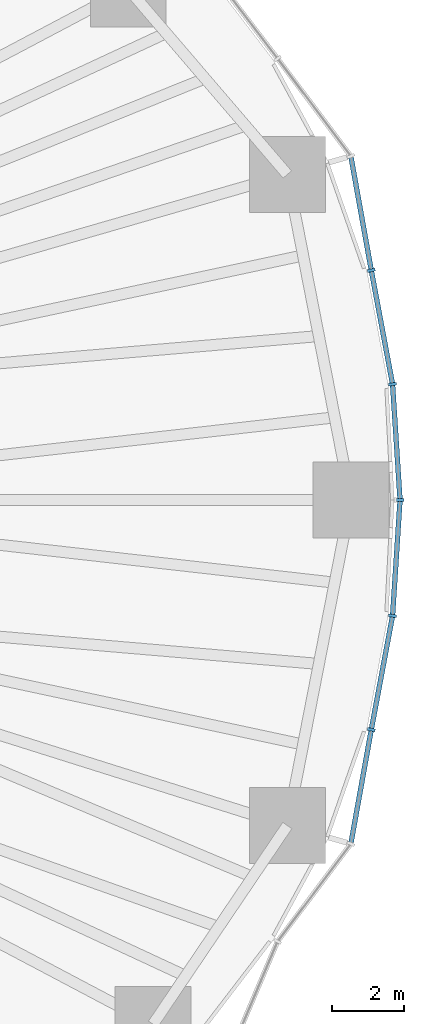
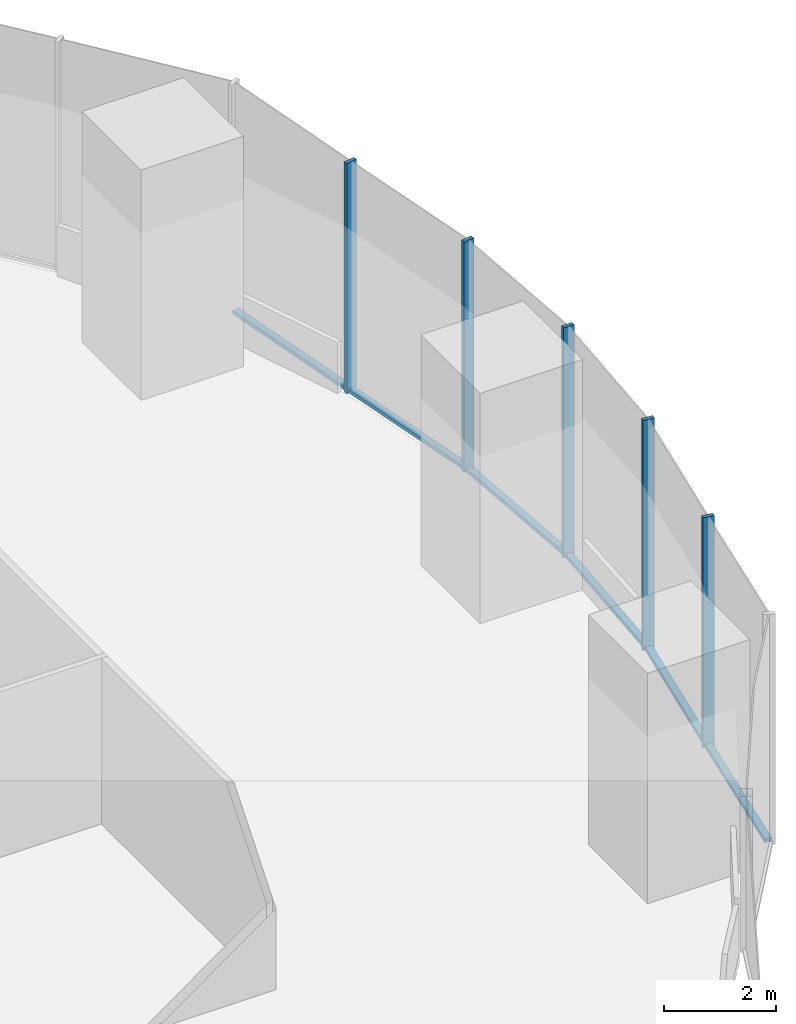
# One storey, part 7 of 20: 11 members, 2 elements without a shape of their own.
"""IFC4 building model written with IfcOpenShell, lengths in metres."""

from ifc_helpers import new_model, si_unit, direction, frame, origin, origin_2d, place, context, subcontext, project, spatial, rectangle, extrude, material, material_profile, profile_set, type_object, element, aggregate, save


model = new_model("IFC4")

# Units and contexts
model_context = context("Model", 3, precision=1e-05, world=origin(), true_north=direction((0.0, 1.0)))
body_context = subcontext(model_context, "Body", "Model", "MODEL_VIEW")
ifc_project = project(units=[si_unit("LENGTHUNIT", "METRE"), si_unit("AREAUNIT", "SQUARE_METRE"), si_unit("VOLUMEUNIT", "CUBIC_METRE"), si_unit("PLANEANGLEUNIT", "RADIAN"), si_unit("MASSUNIT", "GRAM", prefix="KILO")], contexts=[model_context])

# Site, building, storey
site_placement = place(None, origin())
site = spatial("IfcSite", under=ifc_project, at=site_placement, CompositionType="ELEMENT")
building_placement = place(site_placement, origin())
building = spatial("IfcBuilding", under=site, at=building_placement, Name="Ghaith Harvest Tower", CompositionType="ELEMENT")
storey_placement = place(building_placement, frame((0.0, 0.0, 45.0)))
storey = spatial("IfcBuildingStorey", under=building, at=storey_placement, Name="L09", CompositionType="ELEMENT", Elevation=45.0)

# Curtain wall, members
ifc_material_1 = material(Name="Black anodised aluminium and fritted glass", Category="aluminium")
curtain_wall_type = type_object("IfcCurtainWallType", Name="CW-F CURTAIN WALL", PredefinedType="NOTDEFINED", material=ifc_material_1)
curtain_wall_1_placement = place(storey_placement, origin())
curtain_wall_1 = element("IfcCurtainWall", 1, at=curtain_wall_1_placement, inside=storey, type_object=curtain_wall_type, Name="Curtain wall CW-F bay 01 L09", PredefinedType="NOTDEFINED")
ifc_material_2 = material(Name="Aluminium, black anodised", Category="aluminium")
ifc_material_profile_1 = material_profile(ifc_material_2, rectangle(XDim=0.080078125, YDim=0.219970703125, at=origin_2d()), Name="CW-F MULLION 80x220")
ifc_profile_set_1 = profile_set([ifc_material_profile_1], Name="Aluminium, black anodised")
member_type_1 = type_object("IfcMemberType", Name="CW-F MULLION 80x220", PredefinedType="MULLION", material=ifc_profile_set_1)
member_1_placement = place(storey_placement, frame((34.284912109375, 0.0, 0.0), z_axis=(0.0, 0.0, 1.0), x_axis=(1.05e-10, 1.0, 0.0)))
member_1 = element("IfcMember", 2, at=member_1_placement, type_object=member_type_1, Name="CW-F mullion 1 bay 01 L09", PredefinedType="MULLION", context=body_context, shape_type="SweptSolid", body=[
    extrude(rectangle(XDim=0.080078125, YDim=0.219970703125, at=origin_2d()), origin(), (0.0, 0.0, 1.0), 5.0),
])
member_2_placement = place(storey_placement, frame((34.077880859375, 3.205322265625, 0.0), z_axis=(0.0, 0.0, 1.0), x_axis=(-0.12416951168, 0.992261020281, 0.0)))
member_2 = element("IfcMember", 3, at=member_2_placement, type_object=member_type_1, Name="CW-F mullion 2 bay 01 L09", PredefinedType="MULLION", context=body_context, shape_type="SweptSolid", body=[
    extrude(rectangle(XDim=0.080078125, YDim=0.219970703125, at=origin_2d()), origin(), (0.0, 0.0, 1.0), 5.0),
])
member_3_placement = place(storey_placement, frame((33.489501953125, 6.3564453125, 0.0), z_axis=(0.0, 0.0, 1.0), x_axis=(-0.179943325455, 0.98367697931, 0.0)))
member_3 = element("IfcMember", 4, at=member_3_placement, type_object=member_type_1, Name="CW-F mullion 3 bay 01 L09", PredefinedType="MULLION", context=body_context, shape_type="SweptSolid", body=[
    extrude(rectangle(XDim=0.080078125, YDim=0.219970703125, at=origin_2d()), origin(), (0.0, 0.0, 1.0), 5.0),
])

curtain_wall_2_placement = place(storey_placement, origin())
curtain_wall_2 = element("IfcCurtainWall", 5, at=curtain_wall_2_placement, inside=storey, type_object=curtain_wall_type, Name="Curtain wall CW-F bay 20 L09", PredefinedType="NOTDEFINED")
member_4_placement = place(storey_placement, frame((33.489501953125, -6.3564453125, 0.0), z_axis=(0.0, 0.0, 1.0), x_axis=(0.17994332573, 0.98367697926, 0.0)))
member_4 = element("IfcMember", 6, at=member_4_placement, type_object=member_type_1, Name="CW-F mullion 2 bay 20 L09", PredefinedType="MULLION", context=body_context, shape_type="SweptSolid", body=[
    extrude(rectangle(XDim=0.080078125, YDim=0.219970703125, at=origin_2d()), origin(), (0.0, 0.0, 1.0), 5.0),
])
member_5_placement = place(storey_placement, frame((34.077880859375, -3.205322265625, 0.0), z_axis=(0.0, 0.0, 1.0), x_axis=(0.124169511819, 0.992261020264, 0.0)))
member_5 = element("IfcMember", 7, at=member_5_placement, type_object=member_type_1, Name="CW-F mullion 3 bay 20 L09", PredefinedType="MULLION", context=body_context, shape_type="SweptSolid", body=[
    extrude(rectangle(XDim=0.080078125, YDim=0.219970703125, at=origin_2d()), origin(), (0.0, 0.0, 1.0), 5.0),
])

# Member
ifc_material_3 = material(Name="Aluminium, black anodised", Category="aluminium")
ifc_material_profile_2 = material_profile(ifc_material_3, rectangle(XDim=0.139892578125, YDim=0.080078125, at=origin_2d()), Name="CW-F TRANSOM 140x80")
ifc_profile_set_2 = profile_set([ifc_material_profile_2], Name="Aluminium, black anodised")
member_type_2 = type_object("IfcMemberType", Name="CW-F TRANSOM 140x80", PredefinedType="USERDEFINED", material=ifc_profile_set_2)
member_6_placement = place(storey_placement, frame((34.282470703125, 0.039794921875, 0.0400390625), z_axis=(-0.064459898973, 0.997920298132, 0.0), x_axis=(-0.997920298132, -0.064459898973, 0.0)))
member_6 = element("IfcMember", 8, at=member_6_placement, type_object=member_type_2, Name="CW-F transom 1 bay 01 L09", ObjectType="TRANSOM", PredefinedType="USERDEFINED", context=body_context, shape_type="SweptSolid", body=[
    extrude(rectangle(XDim=0.139892578125, YDim=0.080078125, at=origin_2d()), origin(), (0.0, 0.0, 1.0), 3.13232421875),
])

member_7_placement = place(storey_placement, frame((34.070556640625, 3.24462890625, 0.0400390625), z_axis=(-0.183557496381, 0.983008975301, 0.0), x_axis=(-0.983008975301, -0.183557496381, 0.0)))
member_7 = element("IfcMember", 9, at=member_7_placement, type_object=member_type_2, Name="CW-F transom 2 bay 01 L09", ObjectType="TRANSOM", PredefinedType="USERDEFINED", context=body_context, shape_type="SweptSolid", body=[
    extrude(rectangle(XDim=0.139892578125, YDim=0.080078125, at=origin_2d()), origin(), (0.0, 0.0, 1.0), 3.125732421875),
])

member_8_placement = place(storey_placement, frame((33.482421875, 6.395751953125, 0.0400390625), z_axis=(-0.176303612865, 0.984335835013, 0.0), x_axis=(-0.984335835013, -0.176303612865, 0.0)))
member_8 = element("IfcMember", 10, at=member_8_placement, type_object=member_type_2, Name="CW-F transom 3 bay 01 L09", ObjectType="TRANSOM", PredefinedType="USERDEFINED", context=body_context, shape_type="SweptSolid", body=[
    extrude(rectangle(XDim=0.139892578125, YDim=0.080078125, at=origin_2d()), origin(), (0.0, 0.0, 1.0), 3.129638671875),
])

aggregate(curtain_wall_1, [member_1, member_6, member_2, member_7, member_3, member_8])

member_9_placement = place(storey_placement, frame((32.9306640625, -9.476318359375, 0.0400390625), z_axis=(0.176303612865, 0.984335835013, 0.0), x_axis=(-0.984335835013, 0.176303612865, 0.0)))
member_9 = element("IfcMember", 11, at=member_9_placement, type_object=member_type_2, Name="CW-F transom 1 bay 20 L09", ObjectType="TRANSOM", PredefinedType="USERDEFINED", context=body_context, shape_type="SweptSolid", body=[
    extrude(rectangle(XDim=0.139892578125, YDim=0.080078125, at=origin_2d()), origin(), (0.0, 0.0, 1.0), 3.129638671875),
])

member_10_placement = place(storey_placement, frame((33.496826171875, -6.317138671875, 0.0400390625), z_axis=(0.183557496381, 0.983008975301, 0.0), x_axis=(-0.983008975301, 0.183557496381, 0.0)))
member_10 = element("IfcMember", 12, at=member_10_placement, type_object=member_type_2, Name="CW-F transom 2 bay 20 L09", ObjectType="TRANSOM", PredefinedType="USERDEFINED", context=body_context, shape_type="SweptSolid", body=[
    extrude(rectangle(XDim=0.139892578125, YDim=0.080078125, at=origin_2d()), origin(), (0.0, 0.0, 1.0), 3.125732421875),
])

member_11_placement = place(storey_placement, frame((34.08056640625, -3.16552734375, 0.0400390625), z_axis=(0.064459898973, 0.997920298132, 0.0), x_axis=(-0.997920298132, 0.064459898973, 0.0)))
member_11 = element("IfcMember", 13, at=member_11_placement, type_object=member_type_2, Name="CW-F transom 3 bay 20 L09", ObjectType="TRANSOM", PredefinedType="USERDEFINED", context=body_context, shape_type="SweptSolid", body=[
    extrude(rectangle(XDim=0.139892578125, YDim=0.080078125, at=origin_2d()), origin(), (0.0, 0.0, 1.0), 3.13232421875),
])

aggregate(curtain_wall_2, [member_9, member_4, member_10, member_5, member_11])

save(model, "model.ifc")
